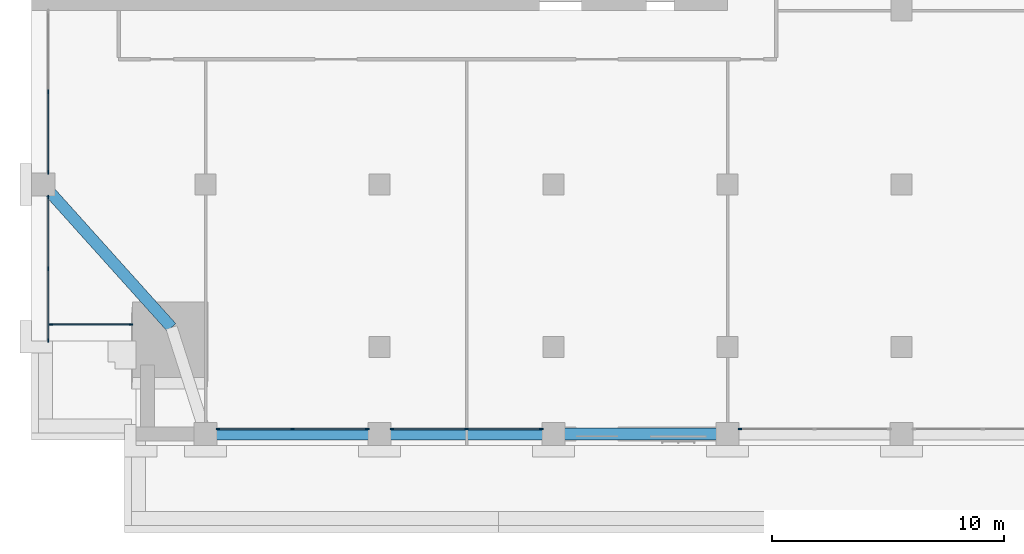
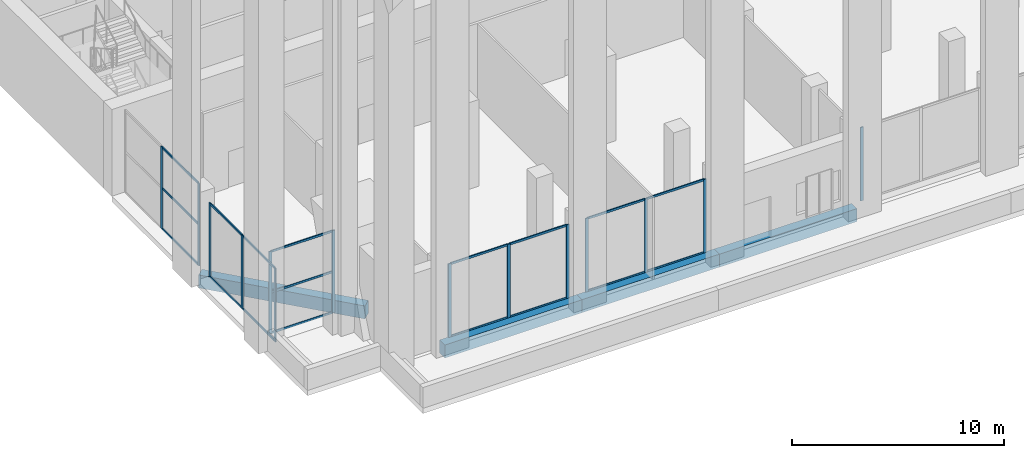
# One storey, part 2 of 19: 32 members, 4 beams, 6 elements without a shape of their own.
"""IFC4 building model written with IfcOpenShell, lengths in metres."""

from ifc_helpers import new_model, si_unit, direction, frame, origin, origin_2d, place, context, subcontext, project, spatial, rectangle, extrude, material, layer, layer_set, material_profile, profile_set, type_object, element, aggregate, save


model = new_model("IFC4")

# Units and contexts
model_context = context("Model", 3, precision=1e-05, world=origin(), true_north=direction((0.0, 1.0)))
body_context = subcontext(model_context, "Body", "Model", "MODEL_VIEW")
ifc_project = project(units=[si_unit("LENGTHUNIT", "METRE"), si_unit("AREAUNIT", "SQUARE_METRE"), si_unit("VOLUMEUNIT", "CUBIC_METRE"), si_unit("PLANEANGLEUNIT", "RADIAN"), si_unit("MASSUNIT", "GRAM", prefix="KILO")], contexts=[model_context])

# Site, building, storey
site_placement = place(None, origin())
site = spatial("IfcSite", under=ifc_project, at=site_placement, CompositionType="ELEMENT")
building_placement = place(site_placement, origin())
building = spatial("IfcBuilding", under=site, at=building_placement, Name="Tamorin Gate", CompositionType="ELEMENT")
storey_placement = place(building_placement, frame((0.0, 0.0, 174.199951171875)))
storey = spatial("IfcBuildingStorey", under=building, at=storey_placement, Name="L42", CompositionType="ELEMENT", Elevation=174.199951171875)

# Curtain wall, members
ifc_material_1 = material(Name="Aluminium mullions and transoms with clear glass", Category="aluminium")
ifc_layer = layer(ifc_material_1, 0.159912109375)
ifc_layer_set = layer_set([ifc_layer], Name="Curtain wall system CW2")
curtain_wall_type = type_object("IfcCurtainWallType", Name="Curtain wall system CW2", PredefinedType="NOTDEFINED", material=ifc_layer_set)
curtain_wall_1_placement = place(storey_placement, origin())
curtain_wall_1 = element("IfcCurtainWall", 1, at=curtain_wall_1_placement, inside=storey, type_object=curtain_wall_type, Name="Curtain wall", PredefinedType="NOTDEFINED")
ifc_material_2 = material(Name="Aluminium", Category="aluminium")
ifc_material_profile_1 = material_profile(ifc_material_2, rectangle(XDim=0.06005859375, YDim=0.159912109375, at=origin_2d()), Name="RECT 60x160")
ifc_profile_set_1 = profile_set([ifc_material_profile_1], Name="Aluminium")
member_type_1 = type_object("IfcMemberType", Name="Aluminium mullion 60x160", PredefinedType="MULLION", material=ifc_profile_set_1)
member_1_placement = place(storey_placement, frame((38.030029296875, 41.969970703125, 0.0), z_axis=(0.0, 0.0, 1.0), x_axis=(0.0, 1.0, 0.0)))
member_1 = element("IfcMember", 2, at=member_1_placement, type_object=member_type_1, Name="CW2 mullion 1", PredefinedType="MULLION", context=body_context, shape_type="SweptSolid", body=[
    extrude(rectangle(XDim=0.06005859375, YDim=0.159912109375, at=origin_2d()), origin(), (0.0, 0.0, 1.0), 4.25),
])
member_2_placement = place(storey_placement, frame((41.25, 41.969970703125, 0.0), z_axis=(0.0, 0.0, 1.0), x_axis=(0.0, 1.0, 0.0)))
member_2 = element("IfcMember", 3, at=member_2_placement, type_object=member_type_1, Name="CW2 mullion 2", PredefinedType="MULLION", context=body_context, shape_type="SweptSolid", body=[
    extrude(rectangle(XDim=0.06005859375, YDim=0.159912109375, at=origin_2d()), origin(), (0.0, 0.0, 1.0), 4.25),
])
member_3_placement = place(storey_placement, frame((44.469970703125, 41.969970703125, 0.0), z_axis=(0.0, 0.0, 1.0), x_axis=(0.0, 1.0, 0.0)))
member_3 = element("IfcMember", 4, at=member_3_placement, type_object=member_type_1, Name="CW2 mullion 3", PredefinedType="MULLION", context=body_context, shape_type="SweptSolid", body=[
    extrude(rectangle(XDim=0.06005859375, YDim=0.159912109375, at=origin_2d()), origin(), (0.0, 0.0, 1.0), 4.25),
])

curtain_wall_2_placement = place(storey_placement, origin())
curtain_wall_2 = element("IfcCurtainWall", 5, at=curtain_wall_2_placement, inside=storey, type_object=curtain_wall_type, Name="Curtain wall", PredefinedType="NOTDEFINED")
member_4_placement = place(storey_placement, frame((45.530029296875, 41.969970703125, 0.0), z_axis=(0.0, 0.0, 1.0), x_axis=(0.0, 1.0, 0.0)))
member_4 = element("IfcMember", 6, at=member_4_placement, type_object=member_type_1, Name="CW2 mullion 1", PredefinedType="MULLION", context=body_context, shape_type="SweptSolid", body=[
    extrude(rectangle(XDim=0.06005859375, YDim=0.159912109375, at=origin_2d()), origin(), (0.0, 0.0, 1.0), 4.25),
])
member_5_placement = place(storey_placement, frame((48.75, 41.969970703125, 0.0), z_axis=(0.0, 0.0, 1.0), x_axis=(0.0, 1.0, 0.0)))
member_5 = element("IfcMember", 7, at=member_5_placement, type_object=member_type_1, Name="CW2 mullion 2", PredefinedType="MULLION", context=body_context, shape_type="SweptSolid", body=[
    extrude(rectangle(XDim=0.06005859375, YDim=0.159912109375, at=origin_2d()), origin(), (0.0, 0.0, 1.0), 4.25),
])
member_6_placement = place(storey_placement, frame((51.969970703125, 41.969970703125, 0.0), z_axis=(0.0, 0.0, 1.0), x_axis=(0.0, 1.0, 0.0)))
member_6 = element("IfcMember", 8, at=member_6_placement, type_object=member_type_1, Name="CW2 mullion 3", PredefinedType="MULLION", context=body_context, shape_type="SweptSolid", body=[
    extrude(rectangle(XDim=0.06005859375, YDim=0.159912109375, at=origin_2d()), origin(), (0.0, 0.0, 1.0), 4.25),
])

# Curtain wall, member
curtain_wall_3_placement = place(storey_placement, origin())
curtain_wall_3 = element("IfcCurtainWall", 9, at=curtain_wall_3_placement, inside=storey, type_object=curtain_wall_type, Name="Curtain wall", PredefinedType="NOTDEFINED")
member_7_placement = place(storey_placement, frame((60.530029296875, 41.969970703125, 0.0), z_axis=(0.0, 0.0, 1.0), x_axis=(0.0, 1.0, 0.0)))
member_7 = element("IfcMember", 10, at=member_7_placement, type_object=member_type_1, Name="CW2 mullion 1", PredefinedType="MULLION", context=body_context, shape_type="SweptSolid", body=[
    extrude(rectangle(XDim=0.06005859375, YDim=0.159912109375, at=origin_2d()), origin(), (0.0, 0.0, 1.0), 4.25),
])
aggregate(curtain_wall_3, [member_7])

# Curtain wall, members
curtain_wall_4_placement = place(storey_placement, origin())
curtain_wall_4 = element("IfcCurtainWall", 11, at=curtain_wall_4_placement, inside=storey, type_object=curtain_wall_type, Name="Curtain wall", PredefinedType="NOTDEFINED")
member_8_placement = place(storey_placement, frame((30.719970703125, 56.5, 0.0), z_axis=(0.0, 0.0, 1.0), x_axis=(1.0, 0.0, 0.0)))
member_8 = element("IfcMember", 12, at=member_8_placement, type_object=member_type_1, Name="CW2 mullion 2", PredefinedType="MULLION", context=body_context, shape_type="SweptSolid", body=[
    extrude(rectangle(XDim=0.06005859375, YDim=0.159912109375, at=origin_2d()), origin(), (0.0, 0.0, 1.0), 4.75),
])
member_9_placement = place(storey_placement, frame((30.719970703125, 53.030029296875, 0.0), z_axis=(0.0, 0.0, 1.0), x_axis=(1.0, 0.0, 0.0)))
member_9 = element("IfcMember", 13, at=member_9_placement, type_object=member_type_1, Name="CW2 mullion 3", PredefinedType="MULLION", context=body_context, shape_type="SweptSolid", body=[
    extrude(rectangle(XDim=0.06005859375, YDim=0.159912109375, at=origin_2d()), origin(), (0.0, 0.0, 1.0), 4.75),
])

curtain_wall_5_placement = place(storey_placement, origin())
curtain_wall_5 = element("IfcCurtainWall", 14, at=curtain_wall_5_placement, inside=storey, type_object=curtain_wall_type, Name="Curtain wall", PredefinedType="NOTDEFINED")
member_10_placement = place(storey_placement, frame((30.719970703125, 51.969970703125, 0.0), z_axis=(0.0, 0.0, 1.0), x_axis=(1.0, 0.0, 0.0)))
member_10 = element("IfcMember", 15, at=member_10_placement, type_object=member_type_1, Name="CW2 mullion 1", PredefinedType="MULLION", context=body_context, shape_type="SweptSolid", body=[
    extrude(rectangle(XDim=0.06005859375, YDim=0.159912109375, at=origin_2d()), origin(), (0.0, 0.0, 1.0), 4.25),
])
member_11_placement = place(storey_placement, frame((30.719970703125, 48.875, 0.0), z_axis=(0.0, 0.0, 1.0), x_axis=(1.0, 0.0, 0.0)))
member_11 = element("IfcMember", 16, at=member_11_placement, type_object=member_type_1, Name="CW2 mullion 2", PredefinedType="MULLION", context=body_context, shape_type="SweptSolid", body=[
    extrude(rectangle(XDim=0.06005859375, YDim=0.159912109375, at=origin_2d()), origin(), (0.0, 0.0, 1.0), 4.25),
])
member_12_placement = place(storey_placement, frame((30.719970703125, 45.780029296875, 0.0), z_axis=(0.0, 0.0, 1.0), x_axis=(1.0, 0.0, 0.0)))
member_12 = element("IfcMember", 17, at=member_12_placement, type_object=member_type_1, Name="CW2 mullion 3", PredefinedType="MULLION", context=body_context, shape_type="SweptSolid", body=[
    extrude(rectangle(XDim=0.06005859375, YDim=0.159912109375, at=origin_2d()), origin(), (0.0, 0.0, 1.0), 4.25),
])

curtain_wall_6_placement = place(storey_placement, origin())
curtain_wall_6 = element("IfcCurtainWall", 18, at=curtain_wall_6_placement, inside=storey, type_object=curtain_wall_type, Name="Curtain wall", PredefinedType="NOTDEFINED")
member_13_placement = place(storey_placement, frame((30.830078125, 46.469970703125, 0.0), z_axis=(0.0, 0.0, 1.0), x_axis=(0.0, 1.0, 0.0)))
member_13 = element("IfcMember", 19, at=member_13_placement, type_object=member_type_1, Name="CW2 mullion 1", PredefinedType="MULLION", context=body_context, shape_type="SweptSolid", body=[
    extrude(rectangle(XDim=0.06005859375, YDim=0.159912109375, at=origin_2d()), origin(), (0.0, 0.0, 1.0), 4.75),
])
member_14_placement = place(storey_placement, frame((34.282470703125, 46.469970703125, 0.0), z_axis=(0.0, 0.0, 1.0), x_axis=(0.0, 1.0, 0.0)))
member_14 = element("IfcMember", 20, at=member_14_placement, type_object=member_type_1, Name="CW2 mullion 2", PredefinedType="MULLION", context=body_context, shape_type="SweptSolid", body=[
    extrude(rectangle(XDim=0.06005859375, YDim=0.159912109375, at=origin_2d()), origin(), (0.0, 0.0, 1.0), 4.75),
])

# Member
ifc_material_profile_2 = material_profile(ifc_material_2, rectangle(XDim=0.06005859375, YDim=0.1201171875, at=origin_2d()), Name="RECT 60x120")
ifc_profile_set_2 = profile_set([ifc_material_profile_2], Name="Aluminium")
member_type_2 = type_object("IfcMemberType", Name="Aluminium transom 60x120", PredefinedType="USERDEFINED", material=ifc_profile_set_2)
member_15_placement = place(storey_placement, frame((38.06005859375, 41.969970703125, 0.030029296875), z_axis=(1.0, 0.0, 0.0), x_axis=(0.0, 1.0, 0.0)))
member_15 = element("IfcMember", 21, at=member_15_placement, type_object=member_type_2, Name="CW2 transom 1.1", ObjectType="TRANSOM", PredefinedType="USERDEFINED", context=body_context, shape_type="SweptSolid", body=[
    extrude(rectangle(XDim=0.06005859375, YDim=0.1201171875, at=origin_2d()), origin(), (0.0, 0.0, 1.0), 3.159912109375),
])

member_16_placement = place(storey_placement, frame((38.06005859375, 41.969970703125, 4.219970703125), z_axis=(1.0, 0.0, 0.0), x_axis=(0.0, 1.0, 0.0)))
member_16 = element("IfcMember", 22, at=member_16_placement, type_object=member_type_2, Name="CW2 transom 1.2", ObjectType="TRANSOM", PredefinedType="USERDEFINED", context=body_context, shape_type="SweptSolid", body=[
    extrude(rectangle(XDim=0.06005859375, YDim=0.1201171875, at=origin_2d()), origin(), (0.0, 0.0, 1.0), 3.159912109375),
])

member_17_placement = place(storey_placement, frame((41.280029296875, 41.969970703125, 0.030029296875), z_axis=(1.0, 0.0, 0.0), x_axis=(0.0, 1.0, 0.0)))
member_17 = element("IfcMember", 23, at=member_17_placement, type_object=member_type_2, Name="CW2 transom 2.1", ObjectType="TRANSOM", PredefinedType="USERDEFINED", context=body_context, shape_type="SweptSolid", body=[
    extrude(rectangle(XDim=0.06005859375, YDim=0.1201171875, at=origin_2d()), origin(), (0.0, 0.0, 1.0), 3.159912109375),
])

member_18_placement = place(storey_placement, frame((41.280029296875, 41.969970703125, 4.219970703125), z_axis=(1.0, 0.0, 0.0), x_axis=(0.0, 1.0, 0.0)))
member_18 = element("IfcMember", 24, at=member_18_placement, type_object=member_type_2, Name="CW2 transom 2.2", ObjectType="TRANSOM", PredefinedType="USERDEFINED", context=body_context, shape_type="SweptSolid", body=[
    extrude(rectangle(XDim=0.06005859375, YDim=0.1201171875, at=origin_2d()), origin(), (0.0, 0.0, 1.0), 3.159912109375),
])

aggregate(curtain_wall_1, [member_1, member_2, member_3, member_15, member_16, member_17, member_18])

member_19_placement = place(storey_placement, frame((45.56005859375, 41.969970703125, 0.030029296875), z_axis=(1.0, 0.0, 0.0), x_axis=(0.0, 1.0, 0.0)))
member_19 = element("IfcMember", 25, at=member_19_placement, type_object=member_type_2, Name="CW2 transom 1.1", ObjectType="TRANSOM", PredefinedType="USERDEFINED", context=body_context, shape_type="SweptSolid", body=[
    extrude(rectangle(XDim=0.06005859375, YDim=0.1201171875, at=origin_2d()), origin(), (0.0, 0.0, 1.0), 3.159912109375),
])

member_20_placement = place(storey_placement, frame((45.56005859375, 41.969970703125, 4.219970703125), z_axis=(1.0, 0.0, 0.0), x_axis=(0.0, 1.0, 0.0)))
member_20 = element("IfcMember", 26, at=member_20_placement, type_object=member_type_2, Name="CW2 transom 1.2", ObjectType="TRANSOM", PredefinedType="USERDEFINED", context=body_context, shape_type="SweptSolid", body=[
    extrude(rectangle(XDim=0.06005859375, YDim=0.1201171875, at=origin_2d()), origin(), (0.0, 0.0, 1.0), 3.159912109375),
])

member_21_placement = place(storey_placement, frame((48.780029296875, 41.969970703125, 0.030029296875), z_axis=(1.0, 0.0, 0.0), x_axis=(0.0, 1.0, 0.0)))
member_21 = element("IfcMember", 27, at=member_21_placement, type_object=member_type_2, Name="CW2 transom 2.1", ObjectType="TRANSOM", PredefinedType="USERDEFINED", context=body_context, shape_type="SweptSolid", body=[
    extrude(rectangle(XDim=0.06005859375, YDim=0.1201171875, at=origin_2d()), origin(), (0.0, 0.0, 1.0), 3.159912109375),
])

member_22_placement = place(storey_placement, frame((48.780029296875, 41.969970703125, 4.219970703125), z_axis=(1.0, 0.0, 0.0), x_axis=(0.0, 1.0, 0.0)))
member_22 = element("IfcMember", 28, at=member_22_placement, type_object=member_type_2, Name="CW2 transom 2.2", ObjectType="TRANSOM", PredefinedType="USERDEFINED", context=body_context, shape_type="SweptSolid", body=[
    extrude(rectangle(XDim=0.06005859375, YDim=0.1201171875, at=origin_2d()), origin(), (0.0, 0.0, 1.0), 3.159912109375),
])

aggregate(curtain_wall_2, [member_4, member_5, member_6, member_19, member_20, member_21, member_22])

member_23_placement = place(storey_placement, frame((30.719970703125, 56.469970703125, 0.030029296875), z_axis=(0.0, -1.0, 0.0), x_axis=(1.0, 0.0, 0.0)))
member_23 = element("IfcMember", 29, at=member_23_placement, type_object=member_type_2, Name="CW2 transom 2.1", ObjectType="TRANSOM", PredefinedType="USERDEFINED", context=body_context, shape_type="SweptSolid", body=[
    extrude(rectangle(XDim=0.06005859375, YDim=0.1201171875, at=origin_2d()), origin(), (0.0, 0.0, 1.0), 3.409912109375),
])

member_24_placement = place(storey_placement, frame((30.719970703125, 56.469970703125, 2.375), z_axis=(0.0, -1.0, 0.0), x_axis=(1.0, 0.0, 0.0)))
member_24 = element("IfcMember", 30, at=member_24_placement, type_object=member_type_2, Name="CW2 transom 2.2", ObjectType="TRANSOM", PredefinedType="USERDEFINED", context=body_context, shape_type="SweptSolid", body=[
    extrude(rectangle(XDim=0.06005859375, YDim=0.1201171875, at=origin_2d()), origin(), (0.0, 0.0, 1.0), 3.409912109375),
])

member_25_placement = place(storey_placement, frame((30.719970703125, 56.469970703125, 4.719970703125), z_axis=(0.0, -1.0, 0.0), x_axis=(1.0, 0.0, 0.0)))
member_25 = element("IfcMember", 31, at=member_25_placement, type_object=member_type_2, Name="CW2 transom 2.3", ObjectType="TRANSOM", PredefinedType="USERDEFINED", context=body_context, shape_type="SweptSolid", body=[
    extrude(rectangle(XDim=0.06005859375, YDim=0.1201171875, at=origin_2d()), origin(), (0.0, 0.0, 1.0), 3.409912109375),
])

aggregate(curtain_wall_4, [member_8, member_9, member_23, member_24, member_25])

member_26_placement = place(storey_placement, frame((30.719970703125, 51.93994140625, 0.030029296875), z_axis=(0.0, -1.0, 0.0), x_axis=(1.0, 0.0, 0.0)))
member_26 = element("IfcMember", 32, at=member_26_placement, type_object=member_type_2, Name="CW2 transom 1.1", ObjectType="TRANSOM", PredefinedType="USERDEFINED", context=body_context, shape_type="SweptSolid", body=[
    extrude(rectangle(XDim=0.06005859375, YDim=0.1201171875, at=origin_2d()), origin(), (0.0, 0.0, 1.0), 3.034912109375),
])

member_27_placement = place(storey_placement, frame((30.719970703125, 51.93994140625, 4.219970703125), z_axis=(0.0, -1.0, 0.0), x_axis=(1.0, 0.0, 0.0)))
member_27 = element("IfcMember", 33, at=member_27_placement, type_object=member_type_2, Name="CW2 transom 1.2", ObjectType="TRANSOM", PredefinedType="USERDEFINED", context=body_context, shape_type="SweptSolid", body=[
    extrude(rectangle(XDim=0.06005859375, YDim=0.1201171875, at=origin_2d()), origin(), (0.0, 0.0, 1.0), 3.034912109375),
])

member_28_placement = place(storey_placement, frame((30.719970703125, 48.844970703125, 0.030029296875), z_axis=(0.0, -1.0, 0.0), x_axis=(1.0, 0.0, 0.0)))
member_28 = element("IfcMember", 34, at=member_28_placement, type_object=member_type_2, Name="CW2 transom 2.1", ObjectType="TRANSOM", PredefinedType="USERDEFINED", context=body_context, shape_type="SweptSolid", body=[
    extrude(rectangle(XDim=0.06005859375, YDim=0.1201171875, at=origin_2d()), origin(), (0.0, 0.0, 1.0), 3.034912109375),
])

member_29_placement = place(storey_placement, frame((30.719970703125, 48.844970703125, 4.219970703125), z_axis=(0.0, -1.0, 0.0), x_axis=(1.0, 0.0, 0.0)))
member_29 = element("IfcMember", 35, at=member_29_placement, type_object=member_type_2, Name="CW2 transom 2.2", ObjectType="TRANSOM", PredefinedType="USERDEFINED", context=body_context, shape_type="SweptSolid", body=[
    extrude(rectangle(XDim=0.06005859375, YDim=0.1201171875, at=origin_2d()), origin(), (0.0, 0.0, 1.0), 3.034912109375),
])

aggregate(curtain_wall_5, [member_10, member_11, member_12, member_26, member_27, member_28, member_29])

member_30_placement = place(storey_placement, frame((30.860107421875, 46.469970703125, 0.030029296875), z_axis=(1.0, 0.0, 0.0), x_axis=(0.0, 1.0, 0.0)))
member_30 = element("IfcMember", 36, at=member_30_placement, type_object=member_type_2, Name="CW2 transom 1.1", ObjectType="TRANSOM", PredefinedType="USERDEFINED", context=body_context, shape_type="SweptSolid", body=[
    extrude(rectangle(XDim=0.06005859375, YDim=0.1201171875, at=origin_2d()), origin(), (0.0, 0.0, 1.0), 3.392333984375),
])

member_31_placement = place(storey_placement, frame((30.860107421875, 46.469970703125, 2.375), z_axis=(1.0, 0.0, 0.0), x_axis=(0.0, 1.0, 0.0)))
member_31 = element("IfcMember", 37, at=member_31_placement, type_object=member_type_2, Name="CW2 transom 1.2", ObjectType="TRANSOM", PredefinedType="USERDEFINED", context=body_context, shape_type="SweptSolid", body=[
    extrude(rectangle(XDim=0.06005859375, YDim=0.1201171875, at=origin_2d()), origin(), (0.0, 0.0, 1.0), 3.392333984375),
])

member_32_placement = place(storey_placement, frame((30.860107421875, 46.469970703125, 4.719970703125), z_axis=(1.0, 0.0, 0.0), x_axis=(0.0, 1.0, 0.0)))
member_32 = element("IfcMember", 38, at=member_32_placement, type_object=member_type_2, Name="CW2 transom 1.3", ObjectType="TRANSOM", PredefinedType="USERDEFINED", context=body_context, shape_type="SweptSolid", body=[
    extrude(rectangle(XDim=0.06005859375, YDim=0.1201171875, at=origin_2d()), origin(), (0.0, 0.0, 1.0), 3.392333984375),
])

aggregate(curtain_wall_6, [member_13, member_14, member_30, member_31, member_32])

# Beams
ifc_material_3 = material(Name="Concrete C50/60", Category="concrete")
ifc_material_profile_3 = material_profile(ifc_material_3, rectangle(XDim=0.5, YDim=0.75, at=origin_2d()), Name="RC 500x750")
ifc_profile_set_3 = profile_set([ifc_material_profile_3], Name="Concrete C50/60")
beam_type = type_object("IfcBeamType", Name="RC spandrel 500x750 C50/60", PredefinedType="BEAM", material=ifc_profile_set_3)
for number, where, z_axis, x_axis, name in (
    (39, (37.5, 41.75, -0.375), (1.0, 0.0, 0.0), (0.0, 1.0, 0.0), "Spandrel beam L42"),
    (40, (45.0, 41.75, -0.375), (1.0, 0.0, 0.0), (0.0, 1.0, 0.0), "Spandrel beam L42"),
    (41, (52.5, 41.75, -0.375), (1.0, 0.0, 0.0), (0.0, 1.0, 0.0), "Spandrel beam L42"),
):
    element("IfcBeam", number, at=place(storey_placement, frame(where, z_axis=z_axis, x_axis=x_axis)), inside=storey, type_object=beam_type, Name=name, PredefinedType="BEAM", context=body_context, shape_type="SweptSolid", body=[
        extrude(rectangle(XDim=0.5, YDim=0.75, at=origin_2d()), origin(), (0.0, 0.0, 1.0), 7.5),
    ])
beam_placement = place(storey_placement, frame((36.03125, 46.34375, -0.375), z_axis=(-0.668338650641, 0.743857142239, 0.0), x_axis=(-0.743857142239, -0.668338650641, 0.0)))
element("IfcBeam", 42, at=beam_placement, inside=storey, type_object=beam_type, Name="Corner tie beam L42", PredefinedType="BEAM", context=body_context, shape_type="SweptSolid", body=[
    extrude(rectangle(XDim=0.5, YDim=0.75, at=origin_2d()), origin(), (0.0, 0.0, 1.0), 8.276123046875),
])

save(model, "model.ifc")
